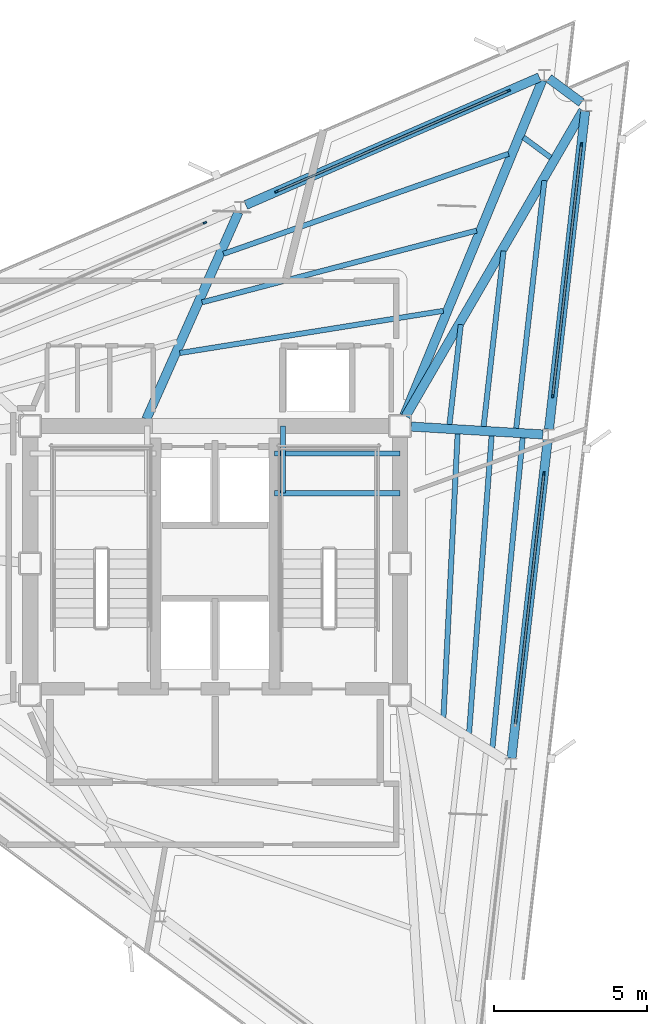
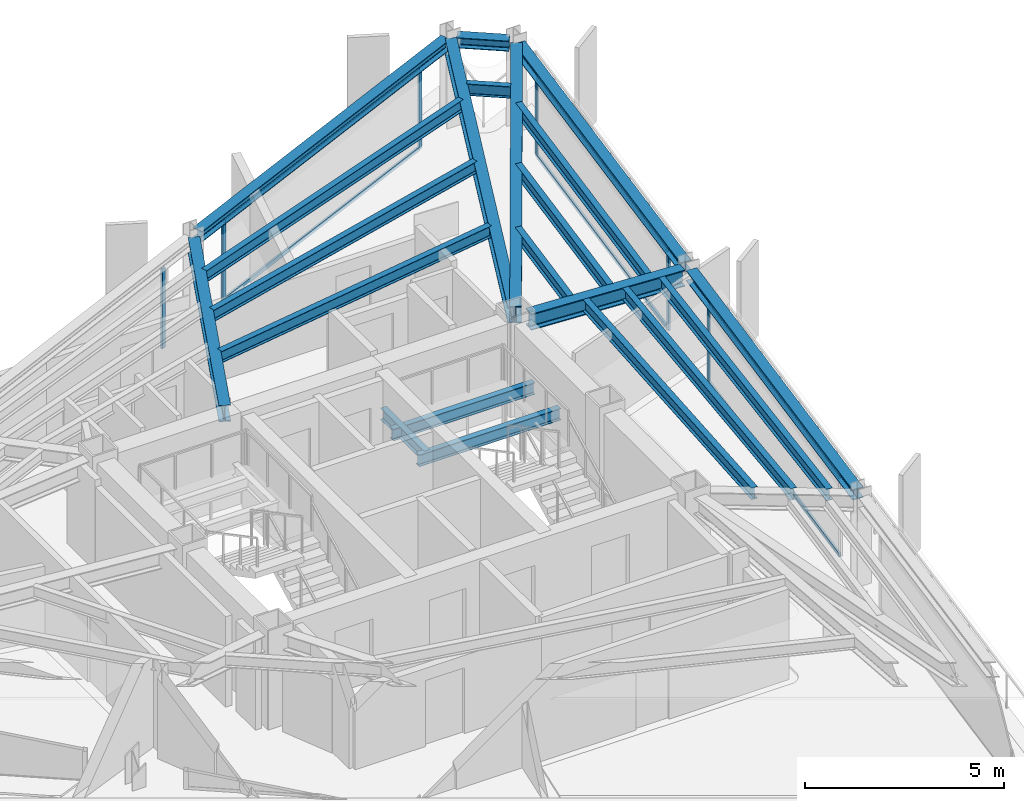
# One storey, part 4 of 10: 21 beams, 12 members, 4 elements without a shape of their own.
"""IFC4 building model written with IfcOpenShell, lengths in metres."""

from ifc_helpers import new_model, si_unit, direction, frame, origin, origin_2d, place, context, subcontext, project, spatial, rectangle, i_section, extrude, material, layer, layer_set, material_profile, profile_set, type_object, element, aggregate, save


model = new_model("IFC4")

# Units and contexts
model_context = context("Model", 3, precision=1e-05, world=origin(), true_north=direction((0.0, 1.0)))
body_context = subcontext(model_context, "Body", "Model", "MODEL_VIEW")
ifc_project = project(units=[si_unit("LENGTHUNIT", "METRE"), si_unit("AREAUNIT", "SQUARE_METRE"), si_unit("VOLUMEUNIT", "CUBIC_METRE"), si_unit("PLANEANGLEUNIT", "RADIAN"), si_unit("MASSUNIT", "GRAM", prefix="KILO")], contexts=[model_context])

# Site, building, storey
site_placement = place(None, origin())
site = spatial("IfcSite", under=ifc_project, at=site_placement, CompositionType="ELEMENT")
building_placement = place(site_placement, origin())
building = spatial("IfcBuilding", under=site, at=building_placement, Name="Rocaltana Carrier Exchange", CompositionType="ELEMENT")
storey_placement = place(building_placement, frame((0.0, 0.0, 220.9599609375)))
storey = spatial("IfcBuildingStorey", under=building, at=storey_placement, Name="L70", CompositionType="ELEMENT", Elevation=220.9599609375)

# Curtain wall, member
ifc_material_1 = material(Name="Aluminium 6063-T6", Category="aluminium")
ifc_layer = layer(ifc_material_1, 0.1201171875)
ifc_layer_set = layer_set([ifc_layer], Name="Aluminium 6063-T6")
curtain_wall_type = type_object("IfcCurtainWallType", Name="High-Altitude Thermal Curtain Wall CW-05", PredefinedType="NOTDEFINED", material=ifc_layer_set)
curtain_wall_1_placement = place(storey_placement, origin())
curtain_wall_1 = element("IfcCurtainWall", 1, at=curtain_wall_1_placement, inside=storey, type_object=curtain_wall_type, Name="L70 CW-05 Run CW-L70-F1S2", PredefinedType="NOTDEFINED")
ifc_material_2 = material(Name="Aluminium 6063-T6", Category="aluminium")
ifc_material_profile_1 = material_profile(ifc_material_2, rectangle(XDim=0.06005859375, YDim=0.1201171875, at=origin_2d()), Name="AL-60X120")
ifc_profile_set_1 = profile_set([ifc_material_profile_1], Name="Aluminium 6063-T6")
member_type_1 = type_object("IfcMemberType", Name="CW-05 Mullion AL-60X120", PredefinedType="MULLION", material=ifc_profile_set_1)
member_1_placement = place(storey_placement, frame((10.756591796875, 2.93798828125, 0.0), z_axis=(0.0, 0.0, 1.0), x_axis=(-0.993571216652, 0.113208822277, 0.0)))
member_1 = element("IfcMember", 2, at=member_1_placement, type_object=member_type_1, Name="CW-05 mullion 2", PredefinedType="MULLION", context=body_context, shape_type="SweptSolid", body=[
    extrude(rectangle(XDim=0.06005859375, YDim=0.1201171875, at=origin_2d()), origin(), (0.0, 0.0, 1.0), 2.447998046875),
])

# Curtain wall, members
curtain_wall_2_placement = place(storey_placement, origin())
curtain_wall_2 = element("IfcCurtainWall", 3, at=curtain_wall_2_placement, inside=storey, type_object=curtain_wall_type, Name="L70 CW-05 Run CW-L70-F1S3", PredefinedType="NOTDEFINED")
member_2_placement = place(storey_placement, frame((11.04638671875, 5.4814453125, 0.0), z_axis=(0.0, 0.0, 1.0), x_axis=(-0.993572566365, 0.113196975964, 0.0)))
member_2 = element("IfcMember", 4, at=member_2_placement, type_object=member_type_1, Name="CW-05 mullion 1", PredefinedType="MULLION", context=body_context, shape_type="SweptSolid", body=[
    extrude(rectangle(XDim=0.06005859375, YDim=0.1201171875, at=origin_2d()), origin(), (0.0, 0.0, 1.0), 2.447998046875),
])
member_3_placement = place(storey_placement, frame((11.98291015625, 13.70166015625, 0.0), z_axis=(0.0, 0.0, 1.0), x_axis=(-0.993572566365, 0.113196975964, 0.0)))
member_3 = element("IfcMember", 5, at=member_3_placement, type_object=member_type_1, Name="CW-05 mullion 2", PredefinedType="MULLION", context=body_context, shape_type="SweptSolid", body=[
    extrude(rectangle(XDim=0.06005859375, YDim=0.1201171875, at=origin_2d()), origin(), (0.0, 0.0, 1.0), 2.447998046875),
])

curtain_wall_3_placement = place(storey_placement, origin())
curtain_wall_3 = element("IfcCurtainWall", 6, at=curtain_wall_3_placement, inside=storey, type_object=curtain_wall_type, Name="L70 CW-05 Run CW-L70-F2S1", PredefinedType="NOTDEFINED")
member_4_placement = place(storey_placement, frame((9.599609375, 15.46533203125, 0.0), z_axis=(0.0, 0.0, 1.0), x_axis=(0.39875682637, -0.917056701313, 0.0)))
member_4 = element("IfcMember", 7, at=member_4_placement, type_object=member_type_1, Name="CW-05 mullion 1", PredefinedType="MULLION", context=body_context, shape_type="SweptSolid", body=[
    extrude(rectangle(XDim=0.06005859375, YDim=0.1201171875, at=origin_2d()), origin(), (0.0, 0.0, 1.0), 2.447998046875),
])
member_5_placement = place(storey_placement, frame((2.01220703125, 12.166259765625, 0.0), z_axis=(0.0, 0.0, 1.0), x_axis=(0.39875682637, -0.917056701313, 0.0)))
member_5 = element("IfcMember", 8, at=member_5_placement, type_object=member_type_1, Name="CW-05 mullion 2", PredefinedType="MULLION", context=body_context, shape_type="SweptSolid", body=[
    extrude(rectangle(XDim=0.06005859375, YDim=0.1201171875, at=origin_2d()), origin(), (0.0, 0.0, 1.0), 2.447998046875),
])

# Curtain wall, member
curtain_wall_4_placement = place(storey_placement, origin())
curtain_wall_4 = element("IfcCurtainWall", 9, at=curtain_wall_4_placement, inside=storey, type_object=curtain_wall_type, Name="L70 CW-05 Run CW-L70-F2S2", PredefinedType="NOTDEFINED")
member_6_placement = place(storey_placement, frame((-0.335205078125, 11.1455078125, 0.0), z_axis=(0.0, 0.0, 1.0), x_axis=(0.398752438254, -0.917058609352, 0.0)))
member_6 = element("IfcMember", 10, at=member_6_placement, type_object=member_type_1, Name="CW-05 mullion 1", PredefinedType="MULLION", context=body_context, shape_type="SweptSolid", body=[
    extrude(rectangle(XDim=0.06005859375, YDim=0.1201171875, at=origin_2d()), origin(), (0.0, 0.0, 1.0), 2.447998046875),
])
aggregate(curtain_wall_4, [member_6])

# Member
ifc_material_3 = material(Name="Aluminium 6063-T6", Category="aluminium")
ifc_material_profile_2 = material_profile(ifc_material_3, rectangle(XDim=0.06005859375, YDim=0.1201171875, at=origin_2d()), Name="AL-60X120")
ifc_profile_set_2 = profile_set([ifc_material_profile_2], Name="Aluminium 6063-T6")
member_type_2 = type_object("IfcMemberType", Name="CW-05 Transom AL-60X120", PredefinedType="USERDEFINED", material=ifc_profile_set_2)
member_7_placement = place(storey_placement, frame((9.8232421875, -5.25244140625, 0.030029296875), z_axis=(0.113220478228, 0.993569888488, 0.0), x_axis=(-0.993569888488, 0.113220478228, 0.0)))
member_7 = element("IfcMember", 11, at=member_7_placement, type_object=member_type_2, Name="CW-05 transom 1.1", ObjectType="TRANSOM", PredefinedType="USERDEFINED", context=body_context, shape_type="SweptSolid", body=[
    extrude(rectangle(XDim=0.06005859375, YDim=0.1201171875, at=origin_2d()), origin(), (0.0, 0.0, 1.0), 8.21337890625),
])

member_8_placement = place(storey_placement, frame((9.8232421875, -5.25244140625, 2.41796875), z_axis=(0.113220478228, 0.993569888488, 0.0), x_axis=(-0.993569888488, 0.113220478228, 0.0)))
member_8 = element("IfcMember", 12, at=member_8_placement, type_object=member_type_2, Name="CW-05 transom 1.2", ObjectType="TRANSOM", PredefinedType="USERDEFINED", context=body_context, shape_type="SweptSolid", body=[
    extrude(rectangle(XDim=0.06005859375, YDim=0.1201171875, at=origin_2d()), origin(), (0.0, 0.0, 1.0), 8.21337890625),
])

aggregate(curtain_wall_1, [member_1, member_7, member_8])

member_9_placement = place(storey_placement, frame((11.0498046875, 5.51123046875, 0.030029296875), z_axis=(0.113191134651, 0.993573231844, 0.0), x_axis=(-0.993573231844, 0.113191134651, 0.0)))
member_9 = element("IfcMember", 13, at=member_9_placement, type_object=member_type_2, Name="CW-05 transom 1.1", ObjectType="TRANSOM", PredefinedType="USERDEFINED", context=body_context, shape_type="SweptSolid", body=[
    extrude(rectangle(XDim=0.06005859375, YDim=0.1201171875, at=origin_2d()), origin(), (0.0, 0.0, 1.0), 8.21337890625),
])

member_10_placement = place(storey_placement, frame((11.0498046875, 5.51123046875, 2.41796875), z_axis=(0.113191134651, 0.993573231844, 0.0), x_axis=(-0.993573231844, 0.113191134651, 0.0)))
member_10 = element("IfcMember", 14, at=member_10_placement, type_object=member_type_2, Name="CW-05 transom 1.2", ObjectType="TRANSOM", PredefinedType="USERDEFINED", context=body_context, shape_type="SweptSolid", body=[
    extrude(rectangle(XDim=0.06005859375, YDim=0.1201171875, at=origin_2d()), origin(), (0.0, 0.0, 1.0), 8.21337890625),
])

aggregate(curtain_wall_2, [member_2, member_3, member_9, member_10])

member_11_placement = place(storey_placement, frame((9.572021484375, 15.453369140625, 0.030029296875), z_axis=(-0.917058241688, -0.398753283814, 0.0), x_axis=(0.398753283814, -0.917058241688, 0.0)))
member_11 = element("IfcMember", 15, at=member_11_placement, type_object=member_type_2, Name="CW-05 transom 1.1", ObjectType="TRANSOM", PredefinedType="USERDEFINED", context=body_context, shape_type="SweptSolid", body=[
    extrude(rectangle(XDim=0.06005859375, YDim=0.1201171875, at=origin_2d()), origin(), (0.0, 0.0, 1.0), 8.21337890625),
])

member_12_placement = place(storey_placement, frame((9.572021484375, 15.453369140625, 2.41796875), z_axis=(-0.917058241688, -0.398753283814, 0.0), x_axis=(0.398753283814, -0.917058241688, 0.0)))
member_12 = element("IfcMember", 16, at=member_12_placement, type_object=member_type_2, Name="CW-05 transom 1.2", ObjectType="TRANSOM", PredefinedType="USERDEFINED", context=body_context, shape_type="SweptSolid", body=[
    extrude(rectangle(XDim=0.06005859375, YDim=0.1201171875, at=origin_2d()), origin(), (0.0, 0.0, 1.0), 8.21337890625),
])

aggregate(curtain_wall_3, [member_4, member_5, member_11, member_12])

# Beams
ifc_material_4 = material(Name="Steel S355", Category="steel")
ifc_material_profile_3 = material_profile(ifc_material_4, i_section(OverallWidth=0.172119140625, OverallDepth=0.35791015625, WebThickness=0.0078125, FlangeThickness=0.01318359375, FilletRadius=0.011962890625, at=origin_2d()), Name="W14X38")
ifc_profile_set_3 = profile_set([ifc_material_profile_3], Name="Steel S355")
beam_type_1 = type_object("IfcBeamType", Name="Floor Joist W14X38", PredefinedType="JOIST", material=ifc_profile_set_3)
for number, where, z_axis, x_axis, name in (
    (17, (1.93994140625, 2.300048828125, 1.14111328125), (1.0, 0.0, 0.0), (0.0, 1.0, 0.0), "L70 ST-2 Landing Carrier 1"),
    (18, (1.93994140625, 3.60009765625, 1.14111328125), (1.0, 0.0, 0.0), (0.0, 1.0, 0.0), "L70 ST-2 Landing Carrier 2"),
):
    element("IfcBeam", number, at=place(storey_placement, frame(where, z_axis=z_axis, x_axis=x_axis)), inside=storey, type_object=beam_type_1, Name=name, PredefinedType="JOIST", context=body_context, shape_type="SweptSolid", body=[
        extrude(i_section(OverallWidth=0.172119140625, OverallDepth=0.35791015625, WebThickness=0.0078125, FlangeThickness=0.01318359375, FilletRadius=0.011962890625, at=origin_2d()), origin(), (0.0, 0.0, 1.0), 4.110107421875),
    ])
beam_1_placement = place(storey_placement, frame((2.219970703125, 2.300048828125, 1.14111328125), z_axis=(0.0, 1.0, 0.0), x_axis=(-1.0, 0.0, 0.0)))
element("IfcBeam", 19, at=beam_1_placement, inside=storey, type_object=beam_type_1, Name="L70 ST-2 Landing Cross Trimmer", PredefinedType="JOIST", context=body_context, shape_type="SweptSolid", body=[
    extrude(i_section(OverallWidth=0.172119140625, OverallDepth=0.35791015625, WebThickness=0.0078125, FlangeThickness=0.01318359375, FilletRadius=0.011962890625, at=origin_2d()), origin(), (0.0, 0.0, 1.0), 2.199951171875),
])
beam_2_placement = place(storey_placement, frame((7.470947265625, -5.03515625, 2.619140625), z_axis=(0.049933684641, 0.998752535485, 0.0), x_axis=(-0.998752535485, 0.049933684641, 0.0)))
element("IfcBeam", 20, at=beam_2_placement, inside=storey, type_object=beam_type_1, Name="FJ-L70-02-1", PredefinedType="JOIST", context=body_context, shape_type="SweptSolid", body=[
    extrude(i_section(OverallWidth=0.172119140625, OverallDepth=0.35791015625, WebThickness=0.0078125, FlangeThickness=0.01318359375, FilletRadius=0.011962890625, at=origin_2d()), origin(), (0.0, 0.0, 1.0), 9.28955078125),
])
beam_3_placement = place(storey_placement, frame((8.308349609375, -5.553955078125, 2.619140625), z_axis=(0.075705441131, 0.997130225288, 0.0), x_axis=(-0.997130225288, 0.075705441131, 0.0)))
element("IfcBeam", 21, at=beam_3_placement, inside=storey, type_object=beam_type_1, Name="FJ-L70-02-2", PredefinedType="JOIST", context=body_context, shape_type="SweptSolid", body=[
    extrude(i_section(OverallWidth=0.172119140625, OverallDepth=0.35791015625, WebThickness=0.0078125, FlangeThickness=0.01318359375, FilletRadius=0.011962890625, at=origin_2d()), origin(), (0.0, 0.0, 1.0), 9.758544921875),
])
beam_4_placement = place(storey_placement, frame((9.07275390625, -6.027587890625, 2.619140625), z_axis=(0.097138741589, 0.995270850011, 0.0), x_axis=(-0.995270850011, 0.097138741589, 0.0)))
element("IfcBeam", 22, at=beam_4_placement, inside=storey, type_object=beam_type_1, Name="FJ-L70-02-3", PredefinedType="JOIST", context=body_context, shape_type="SweptSolid", body=[
    extrude(i_section(OverallWidth=0.172119140625, OverallDepth=0.35791015625, WebThickness=0.0078125, FlangeThickness=0.01318359375, FilletRadius=0.011962890625, at=origin_2d()), origin(), (0.0, 0.0, 1.0), 10.19140625),
])
beam_5_placement = place(storey_placement, frame((7.667236328125, 4.54736328125, 2.619140625), z_axis=(0.113203016028, 0.993571878206, 0.0), x_axis=(-0.993571878206, 0.113203016028, 0.0)))
element("IfcBeam", 23, at=beam_5_placement, inside=storey, type_object=beam_type_1, Name="FJ-L70-03-1", PredefinedType="JOIST", context=body_context, shape_type="SweptSolid", body=[
    extrude(i_section(OverallWidth=0.172119140625, OverallDepth=0.35791015625, WebThickness=0.0078125, FlangeThickness=0.01318359375, FilletRadius=0.011962890625, at=origin_2d()), origin(), (0.0, 0.0, 1.0), 3.286865234375),
])
beam_6_placement = place(storey_placement, frame((8.783203125, 4.48046875, 2.619140625), z_axis=(0.113185542157, 0.993573868943, 0.0), x_axis=(-0.993573868943, 0.113185542157, 0.0)))
element("IfcBeam", 24, at=beam_6_placement, inside=storey, type_object=beam_type_1, Name="FJ-L70-03-2", PredefinedType="JOIST", context=body_context, shape_type="SweptSolid", body=[
    extrude(i_section(OverallWidth=0.172119140625, OverallDepth=0.35791015625, WebThickness=0.0078125, FlangeThickness=0.01318359375, FilletRadius=0.011962890625, at=origin_2d()), origin(), (0.0, 0.0, 1.0), 5.778564453125),
])
beam_7_placement = place(storey_placement, frame((9.850341796875, 4.41650390625, 2.619140625), z_axis=(0.113215051584, 0.993570506856, 0.0), x_axis=(-0.993570506856, 0.113215051584, 0.0)))
element("IfcBeam", 25, at=beam_7_placement, inside=storey, type_object=beam_type_1, Name="FJ-L70-03-3", PredefinedType="JOIST", context=body_context, shape_type="SweptSolid", body=[
    extrude(i_section(OverallWidth=0.172119140625, OverallDepth=0.35791015625, WebThickness=0.0078125, FlangeThickness=0.01318359375, FilletRadius=0.011962890625, at=origin_2d()), origin(), (0.0, 0.0, 1.0), 8.162109375),
])
beam_8_placement = place(storey_placement, frame((10.978759765625, 13.278564453125, 2.619140625), z_axis=(-0.803783025316, 0.594922556484, 0.0), x_axis=(-0.594922556484, -0.803783025316, 0.0)))
element("IfcBeam", 26, at=beam_8_placement, inside=storey, type_object=beam_type_1, Name="FJ-L70-04-3", PredefinedType="JOIST", context=body_context, shape_type="SweptSolid", body=[
    extrude(i_section(OverallWidth=0.172119140625, OverallDepth=0.35791015625, WebThickness=0.0078125, FlangeThickness=0.01318359375, FilletRadius=0.011962890625, at=origin_2d()), origin(), (0.0, 0.0, 1.0), 1.1103515625),
])
beam_9_placement = place(storey_placement, frame((7.466552734375, 8.26416015625, 2.619140625), z_axis=(-0.987434349957, -0.158029758352, 0.0), x_axis=(0.158029758352, -0.987434349957, 0.0)))
element("IfcBeam", 27, at=beam_9_placement, inside=storey, type_object=beam_type_1, Name="FJ-L70-05-1", PredefinedType="JOIST", context=body_context, shape_type="SweptSolid", body=[
    extrude(i_section(OverallWidth=0.172119140625, OverallDepth=0.35791015625, WebThickness=0.0078125, FlangeThickness=0.01318359375, FilletRadius=0.011962890625, at=origin_2d()), origin(), (0.0, 0.0, 1.0), 8.731689453125),
])
beam_10_placement = place(storey_placement, frame((8.5556640625, 10.889892578125, 2.619140625), z_axis=(-0.967527830679, -0.252764508708, 0.0), x_axis=(0.252764508708, -0.967527830679, 0.0)))
element("IfcBeam", 28, at=beam_10_placement, inside=storey, type_object=beam_type_1, Name="FJ-L70-05-2", PredefinedType="JOIST", context=body_context, shape_type="SweptSolid", body=[
    extrude(i_section(OverallWidth=0.172119140625, OverallDepth=0.35791015625, WebThickness=0.0078125, FlangeThickness=0.01318359375, FilletRadius=0.011962890625, at=origin_2d()), origin(), (0.0, 0.0, 1.0), 9.2822265625),
])
beam_11_placement = place(storey_placement, frame((9.598388671875, 13.4033203125, 2.619140625), z_axis=(-0.943534028817, -0.331275620087, 0.0), x_axis=(0.331275620087, -0.943534028817, 0.0)))
element("IfcBeam", 29, at=beam_11_placement, inside=storey, type_object=beam_type_1, Name="FJ-L70-05-3", PredefinedType="JOIST", context=body_context, shape_type="SweptSolid", body=[
    extrude(i_section(OverallWidth=0.172119140625, OverallDepth=0.35791015625, WebThickness=0.0078125, FlangeThickness=0.01318359375, FilletRadius=0.011962890625, at=origin_2d()), origin(), (0.0, 0.0, 1.0), 9.883544921875),
])
ifc_material_5 = material(Name="Steel S355", Category="steel")
ifc_material_profile_4 = material_profile(ifc_material_5, i_section(OverallWidth=0.300048828125, OverallDepth=0.320068359375, WebThickness=0.011474609375, FlangeThickness=0.0205078125, FilletRadius=0.027099609375, at=origin_2d()), Name="HEB320")
ifc_profile_set_4 = profile_set([ifc_material_profile_4], Name="Steel S355")
beam_type_2 = type_object("IfcBeamType", Name="Spandrel Edge Beam HEB320", PredefinedType="SPANDREL", material=ifc_profile_set_4)
for number, where, z_axis, x_axis, name in (
    (30, (9.6953125, -6.375732421875, 2.637939453125), (0.113206731638, 0.99357145486, 0.0), (-0.99357145486, 0.113206731638, 0.0), "SP-L70-02"),
    (31, (10.921630859375, 4.387939453125, 2.637939453125), (0.113206731638, 0.99357145486, 0.0), (-0.99357145486, 0.113206731638, 0.0), "SP-L70-03"),
):
    element("IfcBeam", number, at=place(storey_placement, frame(where, z_axis=z_axis, x_axis=x_axis)), inside=storey, type_object=beam_type_2, Name=name, PredefinedType="SPANDREL", context=body_context, shape_type="SweptSolid", body=[
        extrude(i_section(OverallWidth=0.300048828125, OverallDepth=0.320068359375, WebThickness=0.011474609375, FlangeThickness=0.0205078125, FilletRadius=0.027099609375, at=origin_2d()), origin(), (0.0, 0.0, 1.0), 10.474609375),
    ])
beam_12_placement = place(storey_placement, frame((11.9833984375, 15.080078125, 2.637939453125), z_axis=(-0.803827813477, 0.594862039703, 0.0), x_axis=(-0.594862039703, -0.803827813477, 0.0)))
element("IfcBeam", 32, at=beam_12_placement, inside=storey, type_object=beam_type_2, Name="SP-L70-04", PredefinedType="SPANDREL", context=body_context, shape_type="SweptSolid", body=[
    extrude(i_section(OverallWidth=0.300048828125, OverallDepth=0.320068359375, WebThickness=0.011474609375, FlangeThickness=0.0205078125, FilletRadius=0.027099609375, at=origin_2d()), origin(), (0.0, 0.0, 1.0), 1.326171875),
])
beam_13_placement = place(storey_placement, frame((10.608642578125, 15.904052734375, 2.637939453125), z_axis=(-0.91705375058, -0.398763612366, 0.0), x_axis=(0.398763612366, -0.91705375058, 0.0)))
element("IfcBeam", 33, at=beam_13_placement, inside=storey, type_object=beam_type_2, Name="SP-L70-05", PredefinedType="SPANDREL", context=body_context, shape_type="SweptSolid", body=[
    extrude(i_section(OverallWidth=0.300048828125, OverallDepth=0.320068359375, WebThickness=0.011474609375, FlangeThickness=0.0205078125, FilletRadius=0.027099609375, at=origin_2d()), origin(), (0.0, 0.0, 1.0), 10.474365234375),
])
ifc_material_6 = material(Name="Steel S355", Category="steel")
ifc_material_profile_5 = material_profile(ifc_material_6, i_section(OverallWidth=0.300048828125, OverallDepth=0.5, WebThickness=0.014404296875, FlangeThickness=0.028076171875, FilletRadius=0.027099609375, at=origin_2d()), Name="HEB500")
ifc_profile_set_5 = profile_set([ifc_material_profile_5], Name="Steel S355")
beam_type_3 = type_object("IfcBeamType", Name="Upper Radial Girder HEB500", PredefinedType="BEAM", material=ifc_profile_set_5)
beam_14_placement = place(storey_placement, frame((6.416259765625, 4.47802734375, 2.548095703125), z_axis=(0.998215724423, -0.05971069849, 0.0), x_axis=(0.05971069849, 0.998215724423, 0.0)))
element("IfcBeam", 34, at=beam_14_placement, inside=storey, type_object=beam_type_3, Name="RG-L70-03", PredefinedType="BEAM", context=body_context, shape_type="SweptSolid", body=[
    extrude(i_section(OverallWidth=0.300048828125, OverallDepth=0.5, WebThickness=0.014404296875, FlangeThickness=0.028076171875, FilletRadius=0.027099609375, at=origin_2d()), origin(), (0.0, 0.0, 1.0), 4.313720703125),
])
beam_15_placement = place(storey_placement, frame((6.234130859375, 4.8173828125, 2.548095703125), z_axis=(0.501914939846, 0.864916986282, 0.0), x_axis=(-0.864916986282, 0.501914939846, 0.0)))
element("IfcBeam", 35, at=beam_15_placement, inside=storey, type_object=beam_type_3, Name="RG-L70-04", PredefinedType="BEAM", context=body_context, shape_type="SweptSolid", body=[
    extrude(i_section(OverallWidth=0.300048828125, OverallDepth=0.5, WebThickness=0.014404296875, FlangeThickness=0.028076171875, FilletRadius=0.027099609375, at=origin_2d()), origin(), (0.0, 0.0, 1.0), 11.562744140625),
])
beam_16_placement = place(storey_placement, frame((6.189697265625, 4.83935546875, 2.548095703125), z_axis=(0.380622487271, 0.924730513276, 0.0), x_axis=(-0.924730513276, 0.380622487271, 0.0)))
element("IfcBeam", 36, at=beam_16_placement, inside=storey, type_object=beam_type_3, Name="RG-L70-05", PredefinedType="BEAM", context=body_context, shape_type="SweptSolid", body=[
    extrude(i_section(OverallWidth=0.300048828125, OverallDepth=0.5, WebThickness=0.014404296875, FlangeThickness=0.028076171875, FilletRadius=0.027099609375, at=origin_2d()), origin(), (0.0, 0.0, 1.0), 11.863037109375),
])
beam_17_placement = place(storey_placement, frame((-2.25146484375, 4.720947265625, 2.548095703125), z_axis=(0.406997014031, 0.913429488559, 0.0), x_axis=(-0.913429488559, 0.406997014031, 0.0)))
element("IfcBeam", 37, at=beam_17_placement, inside=storey, type_object=beam_type_3, Name="RG-L70-06", PredefinedType="BEAM", context=body_context, shape_type="SweptSolid", body=[
    extrude(i_section(OverallWidth=0.300048828125, OverallDepth=0.5, WebThickness=0.014404296875, FlangeThickness=0.028076171875, FilletRadius=0.027099609375, at=origin_2d()), origin(), (0.0, 0.0, 1.0), 7.412353515625),
])

save(model, "model.ifc")
